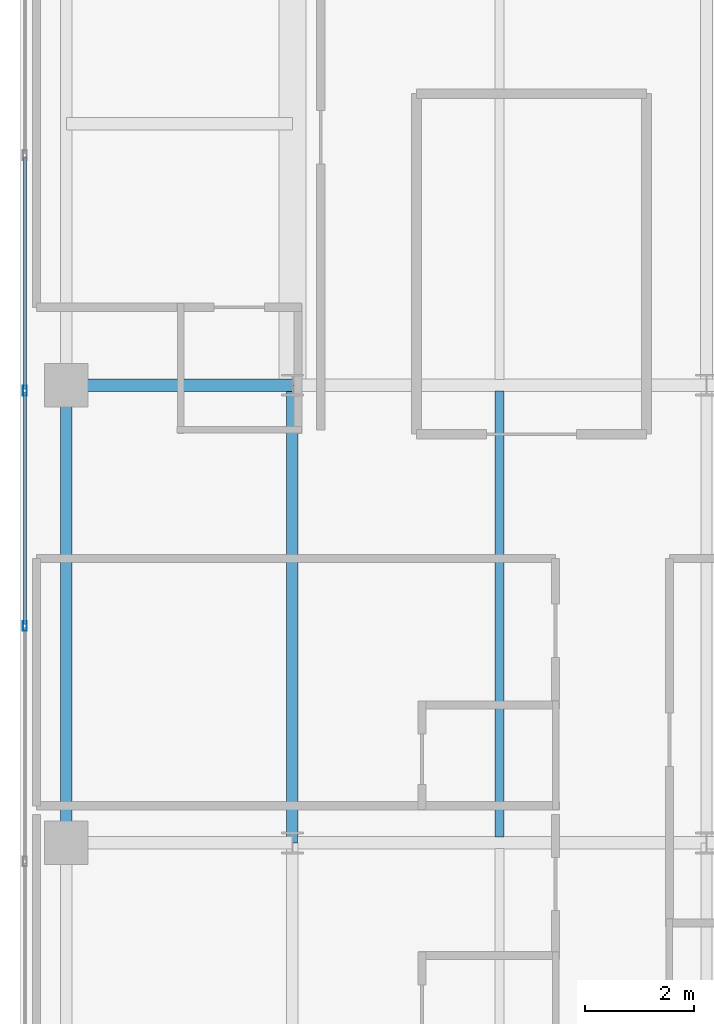
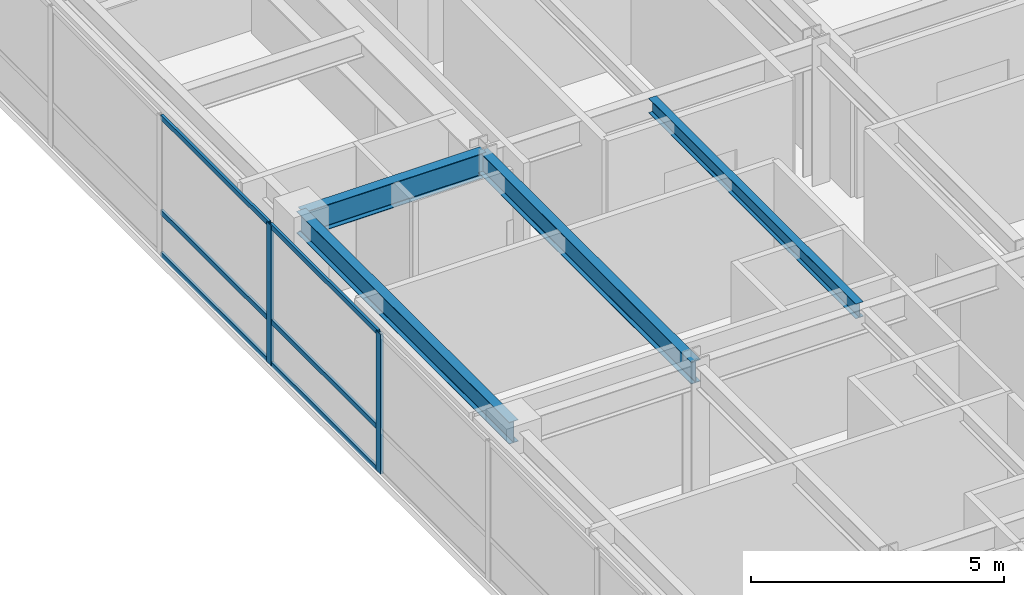
# One storey, part 9 of 28: 8 members, 4 beams, 1 element without a shape of its own.
"""IFC4 building model written with IfcOpenShell, lengths in metres."""

from ifc_helpers import new_model, si_unit, direction, frame, origin, origin_2d, place, context, subcontext, project, spatial, hollow_rectangle, i_section, extrude, source, transform, mapped, material, layer, layer_set, material_profile, profile_set, type_object, type_shapes, element, aggregate, save


model = new_model("IFC4")

# Units and contexts
model_context = context("Model", 3, precision=1e-05, world=origin(), true_north=direction((0.0, 1.0)))
body_context = subcontext(model_context, "Body", "Model", "MODEL_VIEW")
ifc_project = project(units=[si_unit("LENGTHUNIT", "METRE"), si_unit("AREAUNIT", "SQUARE_METRE"), si_unit("VOLUMEUNIT", "CUBIC_METRE"), si_unit("PLANEANGLEUNIT", "RADIAN"), si_unit("MASSUNIT", "GRAM", prefix="KILO")], contexts=[model_context])

# Site, building, storey
site_placement = place(None, origin())
site = spatial("IfcSite", under=ifc_project, at=site_placement, CompositionType="ELEMENT")
building_placement = place(site_placement, origin())
building = spatial("IfcBuilding", under=site, at=building_placement, Name="Tolvann Quenvar Hotel", CompositionType="ELEMENT")
storey_placement = place(building_placement, frame((0.0, 0.0, 154.14990234375)))
storey = spatial("IfcBuildingStorey", under=building, at=storey_placement, Name="L40", CompositionType="ELEMENT", Elevation=154.14990234375)

# Beams
ifc_material_1 = material(Name="Steel Grade 350", Category="steel")
ifc_material_profile_1 = material_profile(ifc_material_1, i_section(OverallWidth=0.208984375, OverallDepth=0.528076171875, WebThickness=0.009521484375, FlangeThickness=0.01318359375, FilletRadius=0.013916015625, at=origin_2d()), Name="530UB82")
ifc_profile_set_1 = profile_set([ifc_material_profile_1], Name="Steel Grade 350")
beam_type_1 = type_object("IfcBeamType", Name="BM_SPAND_530UB82", PredefinedType="SPANDREL", material=ifc_profile_set_1)
shared_shape_1 = source(origin(), body_context, "Body", "SweptSolid", [
    extrude(i_section(OverallWidth=0.208984375, OverallDepth=0.528076171875, WebThickness=0.009521484375, FlangeThickness=0.01318359375, FilletRadius=0.013916015625, at=origin_2d()), origin(), (0.0, 0.0, 1.0), 8.39990234375),
])
type_shapes(beam_type_1, [shared_shape_1])
beam_1_placement = place(storey_placement, frame((3.449951171875, 16.0, 3.106201171875), z_axis=(0.0, 1.0, 0.0), x_axis=(-1.0, 0.0, 0.0)))
element("IfcBeam", 1, at=beam_1_placement, inside=storey, type_object=beam_type_1, Name="BM-L40-NS-B4-B5", PredefinedType="SPANDREL", context=body_context, shape_type="MappedRepresentation", body=[
    mapped(shared_shape_1, transform((0.0, 0.0, 0.0), x_axis=(1.0, 0.0, 0.0), y_axis=(0.0, 1.0, 0.0), z_axis=(0.0, 0.0, 1.0), scale=1.0)),
])
ifc_material_profile_2 = material_profile(ifc_material_1, i_section(OverallWidth=0.208984375, OverallDepth=0.532958984375, WebThickness=0.01025390625, FlangeThickness=0.015625, FilletRadius=0.013916015625, at=origin_2d()), Name="530UB92")
ifc_profile_set_2 = profile_set([ifc_material_profile_2], Name="Steel Grade 350")
beam_type_2 = type_object("IfcBeamType", Name="BM_GIRD_530UB92", PredefinedType="BEAM", material=ifc_profile_set_2)
shared_shape_2 = source(origin(), body_context, "Body", "SweptSolid", [
    extrude(i_section(OverallWidth=0.208984375, OverallDepth=0.532958984375, WebThickness=0.01025390625, FlangeThickness=0.015625, FilletRadius=0.013916015625, at=origin_2d()), origin(), (0.0, 0.0, 1.0), 8.39990234375),
])
type_shapes(beam_type_2, [shared_shape_2])
beam_2_placement = place(storey_placement, frame((7.60009765625, 16.0, 3.103515625), z_axis=(0.0, 1.0, 0.0), x_axis=(-1.0, 0.0, 0.0)))
element("IfcBeam", 2, at=beam_2_placement, inside=storey, type_object=beam_type_2, Name="BM-L40-NS-C4-C5", PredefinedType="BEAM", context=body_context, shape_type="MappedRepresentation", body=[
    mapped(shared_shape_2, transform((0.0, 0.0, 0.0), x_axis=(1.0, 0.0, 0.0), y_axis=(0.0, 1.0, 0.0), z_axis=(0.0, 0.0, 1.0), scale=1.0)),
])
ifc_material_profile_3 = material_profile(ifc_material_1, i_section(OverallWidth=0.22802734375, OverallDepth=0.60205078125, WebThickness=0.010498046875, FlangeThickness=0.014892578125, FilletRadius=0.013916015625, at=origin_2d()), Name="610UB101")
ifc_profile_set_3 = profile_set([ifc_material_profile_3], Name="Steel Grade 350")
beam_type_3 = type_object("IfcBeamType", Name="BM_GIRD_610UB101", PredefinedType="BEAM", material=ifc_profile_set_3)
shared_shape_3 = source(origin(), body_context, "Body", "SweptSolid", [
    extrude(i_section(OverallWidth=0.22802734375, OverallDepth=0.60205078125, WebThickness=0.010498046875, FlangeThickness=0.014892578125, FilletRadius=0.013916015625, at=origin_2d()), origin(), (0.0, 0.0, 1.0), 4.150146484375),
])
type_shapes(beam_type_3, [shared_shape_3])
beam_3_placement = place(storey_placement, frame((3.449951171875, 24.39990234375, 3.069091796875), z_axis=(1.0, 0.0, 0.0), x_axis=(0.0, 1.0, 0.0)))
element("IfcBeam", 3, at=beam_3_placement, inside=storey, type_object=beam_type_3, Name="BM-L40-EW-5-B5-C5", PredefinedType="BEAM", context=body_context, shape_type="MappedRepresentation", body=[
    mapped(shared_shape_3, transform((0.0, 0.0, 0.0), x_axis=(1.0, 0.0, 0.0), y_axis=(0.0, 1.0, 0.0), z_axis=(0.0, 0.0, 1.0), scale=1.0)),
])
ifc_material_profile_4 = material_profile(ifc_material_1, i_section(OverallWidth=0.172119140625, OverallDepth=0.35888671875, WebThickness=0.008056640625, FlangeThickness=0.012939453125, FilletRadius=0.011474609375, at=origin_2d()), Name="360UB57")
ifc_profile_set_4 = profile_set([ifc_material_profile_4], Name="Steel Grade 350")
beam_type_4 = type_object("IfcBeamType", Name="BM_JOIST_360UB57", PredefinedType="JOIST", material=ifc_profile_set_4)
shared_shape_4 = source(origin(), body_context, "Body", "SweptSolid", [
    extrude(i_section(OverallWidth=0.172119140625, OverallDepth=0.35888671875, WebThickness=0.008056640625, FlangeThickness=0.012939453125, FilletRadius=0.011474609375, at=origin_2d()), origin(), (0.0, 0.0, 1.0), 8.18408203125),
])
type_shapes(beam_type_4, [shared_shape_4])
beam_4_placement = place(storey_placement, frame((11.39990234375, 16.10791015625, 3.190673828125), z_axis=(0.0, 1.0, 0.0), x_axis=(-1.0, 0.0, 0.0)))
element("IfcBeam", 4, at=beam_4_placement, inside=storey, type_object=beam_type_4, Name="BJ-L40-114-160", PredefinedType="JOIST", context=body_context, shape_type="MappedRepresentation", body=[
    mapped(shared_shape_4, transform((0.0, 0.0, 0.0), x_axis=(1.0, 0.0, 0.0), y_axis=(0.0, 1.0, 0.0), z_axis=(0.0, 0.0, 1.0), scale=1.0)),
])

# Curtain wall, members
ifc_material_2 = material(Name="Thermally broken anodised architectural aluminium 6063-T6 and laminated low-E glass", Category="aluminium")
ifc_layer = layer(ifc_material_2, 0.179931640625)
ifc_layer_set = layer_set([ifc_layer], Name="Thermally broken anodised architectural aluminium 6063-T6 and laminated low-E glass")
curtain_wall_type = type_object("IfcCurtainWallType", Name="CW_SYS_BAND_04", PredefinedType="USERDEFINED", material=ifc_layer_set)
curtain_wall_placement = place(storey_placement, origin())
curtain_wall = element("IfcCurtainWall", 5, at=curtain_wall_placement, inside=storey, type_object=curtain_wall_type, Name="Curtain Wall CW-BAND-04 (CWR-L40-E23)", ObjectType="UNITISED CURTAIN WALL", PredefinedType="USERDEFINED")
ifc_material_3 = material(Name="Anodised architectural aluminium 6063-T6 framing", Category="aluminium")
ifc_material_profile_5 = material_profile(ifc_material_3, hollow_rectangle(XDim=0.070068359375, YDim=0.179931640625, WallThickness=0.00390625, at=origin_2d()), Name="180x70x4RHS")
ifc_profile_set_5 = profile_set([ifc_material_profile_5], Name="Anodised architectural aluminium 6063-T6 framing")
member_type_1 = type_object("IfcMemberType", Name="CW_MULL_180x70", PredefinedType="MULLION", material=ifc_profile_set_5)
shared_shape_5 = source(origin(), body_context, "Body", "SweptSolid", [
    extrude(hollow_rectangle(XDim=0.070068359375, YDim=0.179931640625, WallThickness=0.00390625, at=origin_2d()), origin(), (0.0, 0.0, 1.0), 3.3701171875),
])
type_shapes(member_type_1, [shared_shape_5])
member_1_placement = place(storey_placement, frame((2.68994140625, 24.300048828125, 0.0), z_axis=(0.0, 0.0, 1.0), x_axis=(1.0, 0.0, 0.0)))
member_1 = element("IfcMember", 6, at=member_1_placement, type_object=member_type_1, Name="CW-BAND-04 mullion 5", PredefinedType="MULLION", context=body_context, shape_type="MappedRepresentation", body=[
    mapped(shared_shape_5, transform((0.0, 0.0, 0.0), x_axis=(1.0, 0.0, 0.0), y_axis=(0.0, 1.0, 0.0), z_axis=(0.0, 0.0, 1.0), scale=1.0)),
])
member_2_placement = place(storey_placement, frame((2.68994140625, 19.979248046875, 0.0), z_axis=(0.0, 0.0, 1.0), x_axis=(1.0, 0.0, 0.0)))
member_2 = element("IfcMember", 7, at=member_2_placement, type_object=member_type_1, Name="CW-BAND-04 mullion 6", PredefinedType="MULLION", context=body_context, shape_type="MappedRepresentation", body=[
    mapped(shared_shape_5, transform((0.0, 0.0, 0.0), x_axis=(1.0, 0.0, 0.0), y_axis=(0.0, 1.0, 0.0), z_axis=(0.0, 0.0, 1.0), scale=1.0)),
])
ifc_material_profile_6 = material_profile(ifc_material_3, hollow_rectangle(XDim=0.06005859375, YDim=0.1201171875, WallThickness=0.00341796875, at=origin_2d()), Name="120x60x3.5RHS")
ifc_profile_set_6 = profile_set([ifc_material_profile_6], Name="Anodised architectural aluminium 6063-T6 framing")
member_type_2 = type_object("IfcMemberType", Name="CW_TRAN_120x60", PredefinedType="USERDEFINED", material=ifc_profile_set_6)
shared_shape_6 = source(origin(), body_context, "Body", "SweptSolid", [
    extrude(hollow_rectangle(XDim=0.06005859375, YDim=0.1201171875, WallThickness=0.00341796875, at=origin_2d()), origin(), (0.0, 0.0, 1.0), 4.250732421875),
])
member_3_placement = place(storey_placement, frame((2.68994140625, 28.585693359375, 0.030029296875), z_axis=(0.0, -1.0, 0.0), x_axis=(1.0, 0.0, 0.0)))
member_3 = element("IfcMember", 8, at=member_3_placement, type_object=member_type_2, Name="CW-BAND-04 transom 4.1", ObjectType="TRANSOM", PredefinedType="USERDEFINED", context=body_context, shape_type="MappedRepresentation", body=[
    mapped(shared_shape_6, transform((0.0, 0.0, 0.0), x_axis=(1.0, 0.0, 0.0), y_axis=(0.0, 1.0, 0.0), z_axis=(0.0, 0.0, 1.0), scale=1.0)),
])
member_4_placement = place(storey_placement, frame((2.68994140625, 28.585693359375, 1.050048828125), z_axis=(0.0, -1.0, 0.0), x_axis=(1.0, 0.0, 0.0)))
member_4 = element("IfcMember", 9, at=member_4_placement, type_object=member_type_2, Name="CW-BAND-04 transom 4.2", ObjectType="TRANSOM", PredefinedType="USERDEFINED", context=body_context, shape_type="MappedRepresentation", body=[
    mapped(shared_shape_6, transform((0.0, 0.0, 0.0), x_axis=(1.0, 0.0, 0.0), y_axis=(0.0, 1.0, 0.0), z_axis=(0.0, 0.0, 1.0), scale=1.0)),
])
member_5_placement = place(storey_placement, frame((2.68994140625, 28.585693359375, 3.340087890625), z_axis=(0.0, -1.0, 0.0), x_axis=(1.0, 0.0, 0.0)))
member_5 = element("IfcMember", 10, at=member_5_placement, type_object=member_type_2, Name="CW-BAND-04 transom 4.3", ObjectType="TRANSOM", PredefinedType="USERDEFINED", context=body_context, shape_type="MappedRepresentation", body=[
    mapped(shared_shape_6, transform((0.0, 0.0, 0.0), x_axis=(1.0, 0.0, 0.0), y_axis=(0.0, 1.0, 0.0), z_axis=(0.0, 0.0, 1.0), scale=1.0)),
])
shared_shape_7 = source(origin(), body_context, "Body", "SweptSolid", [
    extrude(hollow_rectangle(XDim=0.06005859375, YDim=0.1201171875, WallThickness=0.00341796875, at=origin_2d()), origin(), (0.0, 0.0, 1.0), 4.25048828125),
])
type_shapes(member_type_2, [shared_shape_6, shared_shape_7])
member_6_placement = place(storey_placement, frame((2.68994140625, 24.264892578125, 0.030029296875), z_axis=(0.0, -1.0, 0.0), x_axis=(1.0, 0.0, 0.0)))
member_6 = element("IfcMember", 11, at=member_6_placement, type_object=member_type_2, Name="CW-BAND-04 transom 5.1", ObjectType="TRANSOM", PredefinedType="USERDEFINED", context=body_context, shape_type="MappedRepresentation", body=[
    mapped(shared_shape_7, transform((0.0, 0.0, 0.0), x_axis=(1.0, 0.0, 0.0), y_axis=(0.0, 1.0, 0.0), z_axis=(0.0, 0.0, 1.0), scale=1.0)),
])
member_7_placement = place(storey_placement, frame((2.68994140625, 24.264892578125, 1.050048828125), z_axis=(0.0, -1.0, 0.0), x_axis=(1.0, 0.0, 0.0)))
member_7 = element("IfcMember", 12, at=member_7_placement, type_object=member_type_2, Name="CW-BAND-04 transom 5.2", ObjectType="TRANSOM", PredefinedType="USERDEFINED", context=body_context, shape_type="MappedRepresentation", body=[
    mapped(shared_shape_7, transform((0.0, 0.0, 0.0), x_axis=(1.0, 0.0, 0.0), y_axis=(0.0, 1.0, 0.0), z_axis=(0.0, 0.0, 1.0), scale=1.0)),
])
member_8_placement = place(storey_placement, frame((2.68994140625, 24.264892578125, 3.340087890625), z_axis=(0.0, -1.0, 0.0), x_axis=(1.0, 0.0, 0.0)))
member_8 = element("IfcMember", 13, at=member_8_placement, type_object=member_type_2, Name="CW-BAND-04 transom 5.3", ObjectType="TRANSOM", PredefinedType="USERDEFINED", context=body_context, shape_type="MappedRepresentation", body=[
    mapped(shared_shape_7, transform((0.0, 0.0, 0.0), x_axis=(1.0, 0.0, 0.0), y_axis=(0.0, 1.0, 0.0), z_axis=(0.0, 0.0, 1.0), scale=1.0)),
])
aggregate(curtain_wall, [member_1, member_2, member_3, member_4, member_5, member_6, member_7, member_8])

save(model, "model.ifc")
